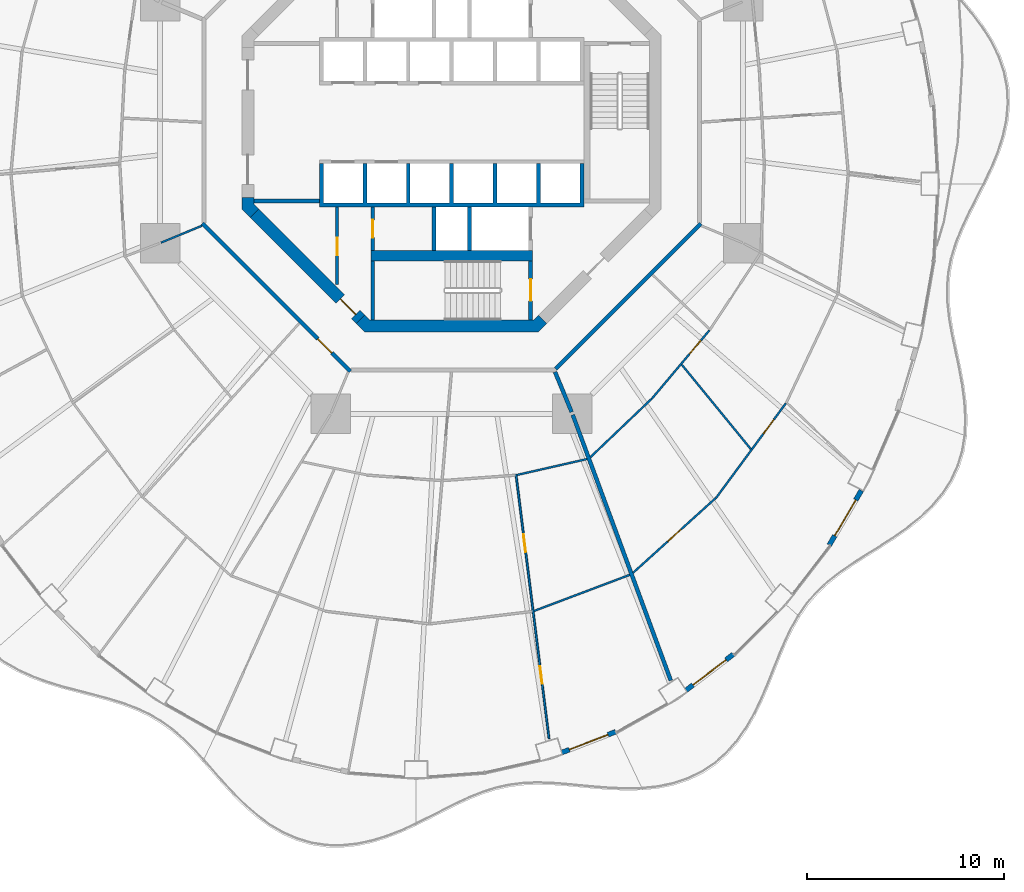
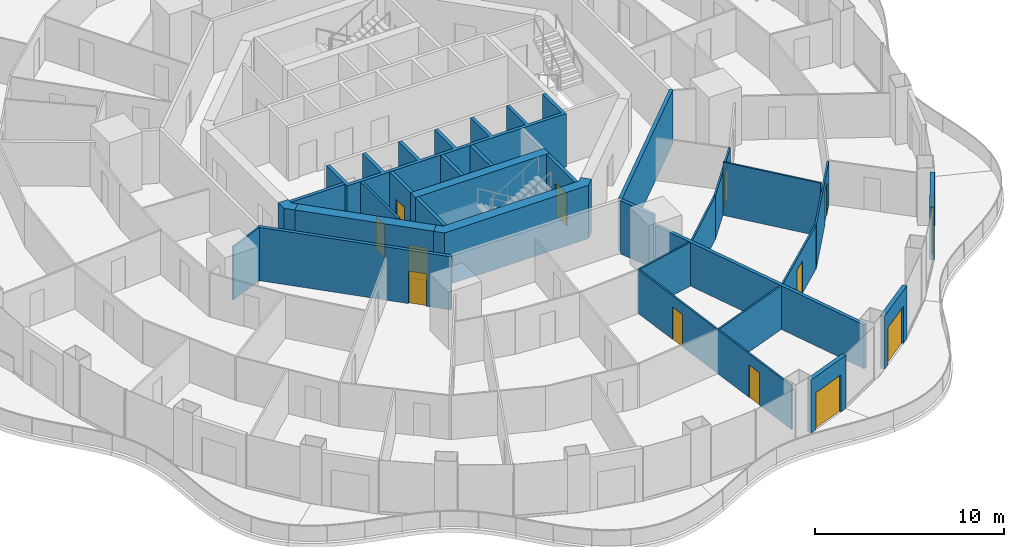
# One storey, part 13 of 20: 28 walls, 13 doors, 13 openings.
"""IFC4 building model written with IfcOpenShell, lengths in metres."""

import ifcopenshell
import ifcopenshell.guid

model = None  # the IFC model being written
_history = None  # IfcOwnerHistory: only IFC2X3 demands one
_inside = {}  # id of a spatial element -> (the spatial element, [elements in it])
_under = {}  # id of a project, library or spatial element -> (it, [spatial elements below it])
_declared = {}  # id of a project -> (the project, [libraries it declares])
_typed = {}  # id of a type object -> (the type object, [elements of that type])
_made_of = {}  # id of a material, layer set ... -> (it, [elements and type objects made of it])


def new_model(schema):
    """Start an empty IFC model of exactly this schema.

    Asked for "IFC4X3", IfcOpenShell would pick the latest addendum, in which some entities
    have other attributes; the version numbers below select the first issue.
    IFC2X3 requires an IfcOwnerHistory on every rooted entity: one is made here for all.
    """
    global model, _history
    if schema == "IFC4X3":
        model = ifcopenshell.file(schema_version=(4, 3, 0, 0))
    else:
        model = ifcopenshell.file(schema=schema)
    _inside.clear()
    _under.clear()
    _declared.clear()
    _typed.clear()
    _made_of.clear()
    _history = None
    if model.schema == "IFC2X3":
        org = make("IfcOrganization", Name="unknown")
        user = make(
            "IfcPersonAndOrganization",
            ThePerson=make("IfcPerson", FamilyName="unknown"),
            TheOrganization=org,
        )
        app = make(
            "IfcApplication",
            ApplicationDeveloper=org,
            Version="unknown",
            ApplicationFullName="unknown",
            ApplicationIdentifier="unknown",
        )
        _history = make(
            "IfcOwnerHistory",
            OwningUser=user,
            OwningApplication=app,
            ChangeAction="ADDED",
            CreationDate=0,
        )
    return model


def make(cls, **values):
    """One entity of the class cls with the attributes given. An attribute that is None is left unset."""
    return model.create_entity(
        cls, **{name: value for name, value in values.items() if value is not None}
    )


def rooted(cls, **values):
    """An entity with a GlobalId (a new one), such as an element, a storey or a relation."""
    return make(cls, GlobalId=ifcopenshell.guid.new(), OwnerHistory=_history, **values)


def si_unit(unit_type, name, prefix=None):
    """IfcSIUnit, for example si_unit("LENGTHUNIT", "METRE", prefix="MILLI")."""
    return make("IfcSIUnit", UnitType=unit_type, Prefix=prefix, Name=name)


def assignment(units):
    """IfcUnitAssignment: the units of a project."""
    return None if units is None else make("IfcUnitAssignment", Units=units)


def point(xyz):
    """IfcCartesianPoint."""
    return None if xyz is None else make("IfcCartesianPoint", Coordinates=xyz)


def direction(xyz):
    """IfcDirection."""
    return None if xyz is None else make("IfcDirection", DirectionRatios=xyz)


def frame(location, z_axis=None, x_axis=None):
    """IfcAxis2Placement3D, a coordinate frame: its origin and axes. An axis left out is left unset."""
    return make(
        "IfcAxis2Placement3D",
        Location=point(location),
        Axis=direction(z_axis),
        RefDirection=direction(x_axis),
    )


def frame_2d(location, x_axis=None):
    """IfcAxis2Placement2D, a coordinate frame in the plane: its origin and x axis."""
    return make(
        "IfcAxis2Placement2D", Location=point(location), RefDirection=direction(x_axis)
    )


def origin():
    """The frame at (0, 0, 0) with its axes left unset."""
    return frame((0.0, 0.0, 0.0))


def place(relative_to, where):
    """IfcLocalPlacement: puts the frame where relative to a parent placement (None: the world)."""
    return make(
        "IfcLocalPlacement", PlacementRelTo=relative_to, RelativePlacement=where
    )


def context(
    kind, dimensions, precision=None, world=None, true_north=None, identifier=None
):
    """IfcGeometricRepresentationContext, for example the 3D "Model" context."""
    return make(
        "IfcGeometricRepresentationContext",
        ContextIdentifier=identifier,
        ContextType=kind,
        CoordinateSpaceDimension=dimensions,
        Precision=precision,
        WorldCoordinateSystem=world,
        TrueNorth=true_north,
    )


def subcontext(parent, identifier, kind, view, scale=None):
    """IfcGeometricRepresentationSubContext, for example "Body" below "Model"."""
    return make(
        "IfcGeometricRepresentationSubContext",
        ContextIdentifier=identifier,
        ContextType=kind,
        ParentContext=parent,
        TargetScale=scale,
        TargetView=view,
    )


def project(units=None, contexts=None):
    """IfcProject with its units and contexts."""
    return rooted(
        "IfcProject",
        Name="project",
        RepresentationContexts=contexts,
        UnitsInContext=assignment(units),
    )


def spatial(cls, under=None, at=None, **own):
    """A site, building, storey or space (cls), placed at a placement, below another one or the project."""
    s = rooted(cls, ObjectPlacement=at, **own)
    if under is not None:
        _under.setdefault(under.id(), (under, []))[1].append(s)
    return s


def polyline(points):
    """IfcPolyline through the points."""
    return make("IfcPolyline", Points=[point(p) for p in points])


def profile(cls, at=None, kind="AREA", **sizes):
    """A parametric profile (cls). Its sizes go by their IFC names, for example OverallWidth=200.0."""
    return make(cls, ProfileType=kind, Position=at, **sizes)


def rectangle(**sizes):
    """IfcRectangleProfileDef."""
    return profile("IfcRectangleProfileDef", **sizes)


def outline(outer, holes=None, kind="AREA"):
    """IfcArbitraryClosedProfileDef: a profile drawn as a closed curve; with holes, ...WithVoids."""
    if holes is None:
        return make("IfcArbitraryClosedProfileDef", ProfileType=kind, OuterCurve=outer)
    return make(
        "IfcArbitraryProfileDefWithVoids",
        ProfileType=kind,
        OuterCurve=outer,
        InnerCurves=holes,
    )


def extrude(swept, where, along, depth):
    """IfcExtrudedAreaSolid: the profile swept, set in the frame where, extruded along a direction by depth."""
    return make(
        "IfcExtrudedAreaSolid",
        SweptArea=swept,
        Position=where,
        ExtrudedDirection=direction(along),
        Depth=depth,
    )


def shape(context_of_items, identifier, shape_type, items):
    """IfcShapeRepresentation: the items that make up one representation, for example the "Body"."""
    return make(
        "IfcShapeRepresentation",
        ContextOfItems=context_of_items,
        RepresentationIdentifier=identifier,
        RepresentationType=shape_type,
        Items=items,
    )


def material(Name=None, Category=None):
    """IfcMaterial."""
    return make("IfcMaterial", Name=Name, Category=Category)


def layer(
    of_material, thickness, ventilated=None, Name=None, Category=None, Priority=None
):
    """IfcMaterialLayer: one layer of a wall or slab, of a material (None: an air gap)."""
    return make(
        "IfcMaterialLayer",
        Material=of_material,
        LayerThickness=thickness,
        IsVentilated=ventilated,
        Name=Name,
        Category=Category,
        Priority=Priority,
    )


def layer_set(layers, Name=None):
    """IfcMaterialLayerSet."""
    return make("IfcMaterialLayerSet", MaterialLayers=layers, LayerSetName=Name)


def made_of(thing, what):
    """Note that an element or type object is made of a material, layer set ...; save() writes the relation."""
    if what is not None:
        _made_of.setdefault(what.id(), (what, []))[1].append(thing)
    return thing


def type_object(cls, material=None, **own):
    """A type object (cls), such as IfcWallType, which elements share."""
    return made_of(rooted(cls, **own), material)


def element(
    cls,
    number,
    at=None,
    inside=None,
    cuts=None,
    type_object=None,
    material=None,
    context=None,
    identifier="Body",
    shape_type=None,
    held_by="IfcProductDefinitionShape",
    body=None,
    shapes=None,
    **own,
):
    """One element of the class cls, such as IfcWall. Its Tag is "e" and its number.

    at: its placement. inside: the storey or other place that contains it. cuts: it is an
    opening in that element (IfcRelVoidsElement). A single representation is given by context,
    identifier, shape_type and body (its items); several are given by shapes. held_by: the class
    of the entity that holds the representations. save() writes the other relations.
    """
    e = rooted(cls, Tag="e%d" % number, ObjectPlacement=at, **own)
    if body is not None:
        shapes = [shape(context, identifier, shape_type, body)]
    if shapes is not None:
        e.Representation = make(held_by, Representations=shapes)
    if inside is not None:
        _inside.setdefault(inside.id(), (inside, []))[1].append(e)
    if cuts is not None:
        rooted(
            "IfcRelVoidsElement", RelatingBuildingElement=cuts, RelatedOpeningElement=e
        )
    if type_object is not None:
        _typed.setdefault(type_object.id(), (type_object, []))[1].append(e)
    return made_of(e, material)


def fill(opening, filler):
    """IfcRelFillsElement: the door or window that sits in an opening."""
    return rooted(
        "IfcRelFillsElement",
        RelatingOpeningElement=opening,
        RelatedBuildingElement=filler,
    )


def aggregate(whole, parts):
    """IfcRelAggregates: a whole, such as a stair, and the parts it consists of."""
    return rooted("IfcRelAggregates", RelatingObject=whole, RelatedObjects=parts)


def save(model, path):
    """Write the relations noted so far, then the file.

    IfcRelAggregates (storeys below a building ...), IfcRelContainedInSpatialStructure (elements
    in a storey), IfcRelDefinesByType, IfcRelAssociatesMaterial and IfcRelDeclares: one each for
    every whole, place, type object, material and project.
    """
    for whole, parts in _under.values():
        aggregate(whole, parts)
    for where, things in _inside.values():
        rooted(
            "IfcRelContainedInSpatialStructure",
            RelatedElements=things,
            RelatingStructure=where,
        )
    for kind, things in _typed.values():
        rooted("IfcRelDefinesByType", RelatedObjects=things, RelatingType=kind)
    for what, things in _made_of.values():
        rooted("IfcRelAssociatesMaterial", RelatedObjects=things, RelatingMaterial=what)
    for by, libraries in _declared.values():
        rooted("IfcRelDeclares", RelatingContext=by, RelatedDefinitions=libraries)
    model.write(path)


model = new_model("IFC4")

# Units and contexts
model_context = context("Model", 3, precision=1e-05, world=origin(), true_north=direction((0.0, 1.0)))
body_context = subcontext(model_context, "Body", "Model", "MODEL_VIEW")
ifc_project = project(units=[si_unit("LENGTHUNIT", "METRE"), si_unit("AREAUNIT", "SQUARE_METRE"), si_unit("VOLUMEUNIT", "CUBIC_METRE"), si_unit("PLANEANGLEUNIT", "RADIAN"), si_unit("MASSUNIT", "GRAM", prefix="KILO")], contexts=[model_context])

# Site, building, storey
site_placement = place(None, origin())
site = spatial("IfcSite", under=ifc_project, at=site_placement, CompositionType="ELEMENT")
building_placement = place(site_placement, origin())
building = spatial("IfcBuilding", under=site, at=building_placement, Name="Nagisa Residences", CompositionType="ELEMENT")
storey_placement = place(building_placement, frame((0.0, 0.0, 119.60009765625)))
storey = spatial("IfcBuildingStorey", under=building, at=storey_placement, Name="L29", CompositionType="ELEMENT", Elevation=119.60009765625)

# Walls
ifc_material_1 = material(Name="Gypsum board on steel studs", Category="steel")
ifc_layer_1 = layer(ifc_material_1, 0.199951171875)
ifc_layer_set_1 = layer_set([ifc_layer_1], Name="Apartment compartment wall EI60 200")
wall_type_1 = type_object("IfcWallType", Name="Apartment compartment wall EI60 200", PredefinedType="PARTITIONING", material=ifc_layer_set_1)
wall_1_placement = place(storey_placement, frame((5.24267578125, -12.6572265625, 0.0), z_axis=(0.0, 0.0, 1.0), x_axis=(0.38273085373, -0.923859888513, 0.0)))
element("IfcWall", 1, at=wall_1_placement, inside=storey, type_object=wall_type_1, Name="wall:L29:u04", PredefinedType="PARTITIONING", context=body_context, shape_type="SweptSolid", body=[
    extrude(rectangle(XDim=2.199462890625, YDim=0.199951171875, at=frame_2d((1.099609375, 0.0))), origin(), (0.0, 0.0, 1.0), 3.43994140625),
])
wall_2_placement = place(storey_placement, frame((6.14013671875, -14.8291015625, 0.0), z_axis=(0.0, 0.0, 1.0), x_axis=(0.346169582481, -0.938171956608, 0.0)))
element("IfcWall", 2, at=wall_2_placement, inside=storey, type_object=wall_type_1, Name="wall:L29:u05", PredefinedType="PARTITIONING", context=body_context, shape_type="SweptSolid", body=[
    extrude(rectangle(XDim=14.353515625, YDim=0.199951171875, at=frame_2d((7.1767578125, 0.0))), origin(), (0.0, 0.0, 1.0), 2.827880859375),
])

# Wall, opening, door
ifc_material_2 = material(Name="Gypsum board on steel studs", Category="steel")
ifc_layer_2 = layer(ifc_material_2, 0.199951171875)
ifc_layer_set_2 = layer_set([ifc_layer_2], Name="Apartment entry wall EI60 200")
wall_type_2 = type_object("IfcWallType", Name="Apartment entry wall EI60 200", PredefinedType="PARTITIONING", material=ifc_layer_set_2)
wall_3_placement = place(storey_placement, frame((-12.635498046875, -5.1337890625, 0.0), z_axis=(0.0, 0.0, 1.0), x_axis=(0.707106781187, -0.707106781187, 0.0)))
wall_3 = element("IfcWall", 3, at=wall_3_placement, inside=storey, type_object=wall_type_2, Name="wall:L29:u11", PredefinedType="PARTITIONING", context=body_context, shape_type="SweptSolid", body=[
    extrude(rectangle(XDim=10.609130859375, YDim=0.199951171875, at=frame_2d((5.3046875, 0.0))), origin(), (0.0, 0.0, 1.0), 3.43994140625),
])
opening_1_placement = place(wall_3_placement, frame((8.274169921875, 0.0, 0.0)))
opening_1 = element("IfcOpeningElement", 4, at=opening_1_placement, cuts=wall_3, Name="Opening L29-U14", PredefinedType="OPENING", context=body_context, shape_type="SweptSolid", body=[
    extrude(rectangle(XDim=1.0, YDim=2.10009765625, at=frame_2d((0.5, 1.050048828125))), frame((0.0, 0.10986328125, 0.0), z_axis=(0.0, -1.0, 0.0), x_axis=(1.0, 0.0, 0.0)), (0.0, 0.0, 1.0), 0.219970703125),
])
ifc_material_3 = material(Name="Timber fire door set", Category="wood")
door_type_1 = type_object("IfcDoorType", Name="Apartment entry door FD30S 1000x2100", OperationType="NOTDEFINED", PredefinedType="DOOR", material=ifc_material_3)
door_1_placement = place(opening_1_placement, frame((1.0, 0.0, 0.0), x_axis=(-1.0, 0.0, 0.0)))
door_1 = element("IfcDoor", 5, at=door_1_placement, inside=storey, type_object=door_type_1, Name="Entry door, Apartment 29B", OperationType="SINGLE_SWING_LEFT", OverallHeight=2.10009765625, OverallWidth=1.0, PredefinedType="DOOR", context=body_context, shape_type="SweptSolid", body=[
    extrude(rectangle(XDim=1.0, YDim=2.10009765625, at=frame_2d((0.5, 1.050048828125))), frame((0.0, 0.02490234375, 0.0), z_axis=(0.0, -1.0, 0.0), x_axis=(1.0, 0.0, 0.0)), (0.0, 0.0, 1.0), 0.050048828125),
])
fill(opening_1, door_1)

# Walls
wall_4_placement = place(storey_placement, frame((5.275146484375, -12.494140625, 0.0), z_axis=(0.0, 0.0, 1.0), x_axis=(0.707106781187, 0.707106781187, 0.0)))
element("IfcWall", 6, at=wall_4_placement, inside=storey, type_object=wall_type_2, Name="wall:L29:u13", PredefinedType="PARTITIONING", context=body_context, shape_type="SweptSolid", body=[
    extrude(rectangle(XDim=10.4091796875, YDim=0.199951171875, at=frame_2d((5.20458984375, 0.0))), origin(), (0.0, 0.0, 1.0), 3.43994140625),
])
ifc_material_4 = material(Name="Gypsum board on steel studs", Category="steel")
ifc_layer_3 = layer(ifc_material_4, 0.10009765625)
ifc_layer_set_3 = layer_set([ifc_layer_3], Name="Apartment partition 100")
wall_type_3 = type_object("IfcWallType", Name="Apartment partition 100", PredefinedType="PARTITIONING", material=ifc_layer_set_3)
wall_5_placement = place(storey_placement, frame((-12.6572265625, -5.24267578125, 0.0), z_axis=(0.0, 0.0, 1.0), x_axis=(-0.923864733477, -0.382719158442, 0.0)))
element("IfcWall", 7, at=wall_5_placement, inside=storey, type_object=wall_type_3, Name="wall:L29:u60", PredefinedType="PARTITIONING", context=body_context, shape_type="SweptSolid", body=[
    extrude(rectangle(XDim=2.25, YDim=0.10009765625, at=frame_2d((1.125, 0.0))), origin(), (0.0, 0.0, 1.0), 3.43994140625),
])

# Wall, openings, doors
wall_6_placement = place(storey_placement, frame((3.26171875, -17.83935546875, 0.0), z_axis=(0.0, 0.0, 1.0), x_axis=(0.124074750982, -0.992272873845, 0.0)))
wall_6 = element("IfcWall", 8, at=wall_6_placement, inside=storey, type_object=wall_type_3, Name="wall:L29:u83", PredefinedType="PARTITIONING", context=body_context, shape_type="SweptSolid", body=[
    extrude(rectangle(XDim=13.51611328125, YDim=0.10009765625, at=frame_2d((6.758056640625, 0.0))), origin(), (0.0, 0.0, 1.0), 2.827880859375),
])
opening_2_placement = place(wall_6_placement, frame((3.07763671875, 0.0, 0.0)))
opening_2 = element("IfcOpeningElement", 9, at=opening_2_placement, cuts=wall_6, Name="Opening L29-U23", PredefinedType="OPENING", context=body_context, shape_type="SweptSolid", body=[
    extrude(rectangle(XDim=0.89990234375, YDim=2.10009765625, at=frame_2d((0.449951171875, 1.050048828125))), frame((0.0, 0.06005859375, 0.0), z_axis=(0.0, -1.0, 0.0), x_axis=(1.0, 0.0, 0.0)), (0.0, 0.0, 1.0), 0.1201171875),
])
opening_3_placement = place(wall_6_placement, frame((9.810791015625, 0.0, 0.0)))
opening_3 = element("IfcOpeningElement", 10, at=opening_3_placement, cuts=wall_6, Name="Opening L29-U30", PredefinedType="OPENING", context=body_context, shape_type="SweptSolid", body=[
    extrude(rectangle(XDim=0.89990234375, YDim=2.10009765625, at=frame_2d((0.449951171875, 1.050048828125))), frame((0.0, 0.06005859375, 0.0), z_axis=(0.0, -1.0, 0.0), x_axis=(1.0, 0.0, 0.0)), (0.0, 0.0, 1.0), 0.1201171875),
])
ifc_material_5 = material(Name="Timber door set", Category="wood")
door_type_2 = type_object("IfcDoorType", Name="Apartment door 900x2100", OperationType="NOTDEFINED", PredefinedType="DOOR", material=ifc_material_5)
door_2_placement = place(opening_2_placement, origin())
door_2 = element("IfcDoor", 11, at=door_2_placement, inside=storey, type_object=door_type_2, Name="Door to dining room, Apartment 29B", OperationType="SINGLE_SWING_LEFT", OverallHeight=2.10009765625, OverallWidth=0.89990234375, PredefinedType="DOOR", context=body_context, shape_type="SweptSolid", body=[
    extrude(rectangle(XDim=0.89990234375, YDim=2.10009765625, at=frame_2d((0.449951171875, 1.050048828125))), frame((0.0, 0.02490234375, 0.0), z_axis=(0.0, -1.0, 0.0), x_axis=(1.0, 0.0, 0.0)), (0.0, 0.0, 1.0), 0.050048828125),
])
fill(opening_2, door_2)
door_3_placement = place(opening_3_placement, origin())
door_3 = element("IfcDoor", 12, at=door_3_placement, inside=storey, type_object=door_type_2, Name="Door to master bedroom, Apartment 29B", OperationType="SINGLE_SWING_RIGHT", OverallHeight=2.10009765625, OverallWidth=0.89990234375, PredefinedType="DOOR", context=body_context, shape_type="SweptSolid", body=[
    extrude(rectangle(XDim=0.89990234375, YDim=2.10009765625, at=frame_2d((0.449951171875, 1.050048828125))), frame((0.0, 0.02490234375, 0.0), z_axis=(0.0, -1.0, 0.0), x_axis=(1.0, 0.0, 0.0)), (0.0, 0.0, 1.0), 0.050048828125),
])
fill(opening_3, door_3)

# Walls
wall_7_placement = place(storey_placement, frame((3.316650390625, -17.8779296875, 0.0), z_axis=(0.0, 0.0, 1.0), x_axis=(0.975095905288, 0.221783623135, 0.0)))
element("IfcWall", 13, at=wall_7_placement, inside=storey, type_object=wall_type_3, Name="wall:L29:u84", PredefinedType="PARTITIONING", context=body_context, shape_type="SweptSolid", body=[
    extrude(rectangle(XDim=3.635986328125, YDim=0.10009765625, at=frame_2d((1.81787109375, 0.0))), origin(), (0.0, 0.0, 1.0), 2.827880859375),
])
wall_8_placement = place(storey_placement, frame((4.177734375, -24.77294921875, 0.0), z_axis=(0.0, 0.0, 1.0), x_axis=(0.935583811437, 0.353104703702, 0.0)))
element("IfcWall", 14, at=wall_8_placement, inside=storey, type_object=wall_type_3, Name="wall:L29:u85", PredefinedType="PARTITIONING", context=body_context, shape_type="SweptSolid", body=[
    extrude(rectangle(XDim=5.18359375, YDim=0.10009765625, at=frame_2d((2.591796875, 0.0))), origin(), (0.0, 0.0, 1.0), 2.827880859375),
])
wall_9_placement = place(storey_placement, frame((7.031982421875, -16.98046875, 0.0), z_axis=(0.0, 0.0, 1.0), x_axis=(0.723709759148, 0.690104473622, 0.0)))
element("IfcWall", 15, at=wall_9_placement, inside=storey, type_object=wall_type_3, Name="wall:L29:u86", PredefinedType="PARTITIONING", context=body_context, shape_type="SweptSolid", body=[
    extrude(rectangle(XDim=4.286376953125, YDim=0.10009765625, at=frame_2d((2.14306640625, 0.0))), origin(), (0.0, 0.0, 1.0), 2.827880859375),
])

# Wall, opening, door
wall_10_placement = place(storey_placement, frame((9.195068359375, -22.84033203125, 0.0), z_axis=(0.0, 0.0, 1.0), x_axis=(0.741675855479, 0.670758470241, 0.0)))
wall_10 = element("IfcWall", 16, at=wall_10_placement, inside=storey, type_object=wall_type_3, Name="wall:L29:u87", PredefinedType="PARTITIONING", context=body_context, shape_type="SweptSolid", body=[
    extrude(rectangle(XDim=5.65625, YDim=0.10009765625, at=frame_2d((2.828125, 0.0))), origin(), (0.0, 0.0, 1.0), 2.827880859375),
])
opening_4_placement = place(wall_10_placement, frame((2.3779296875, 0.0, 0.0)))
opening_4 = element("IfcOpeningElement", 17, at=opening_4_placement, cuts=wall_10, Name="Opening L29-U52", PredefinedType="OPENING", context=body_context, shape_type="SweptSolid", body=[
    extrude(rectangle(XDim=0.89990234375, YDim=2.10009765625, at=frame_2d((0.449951171875, 1.050048828125))), frame((0.0, 0.06005859375, 0.0), z_axis=(0.0, -1.0, 0.0), x_axis=(1.0, 0.0, 0.0)), (0.0, 0.0, 1.0), 0.1201171875),
])
door_4_placement = place(opening_4_placement, origin())
door_4 = element("IfcDoor", 18, at=door_4_placement, inside=storey, type_object=door_type_2, Name="Door to dining room, Apartment 29C", OperationType="SINGLE_SWING_RIGHT", OverallHeight=2.10009765625, OverallWidth=0.89990234375, PredefinedType="DOOR", context=body_context, shape_type="SweptSolid", body=[
    extrude(rectangle(XDim=0.89990234375, YDim=2.10009765625, at=frame_2d((0.449951171875, 1.050048828125))), frame((0.0, 0.02490234375, 0.0), z_axis=(0.0, -1.0, 0.0), x_axis=(1.0, 0.0, 0.0)), (0.0, 0.0, 1.0), 0.050048828125),
])
fill(opening_4, door_4)

wall_11_placement = place(storey_placement, frame((10.13818359375, -14.026123046875, 0.0), z_axis=(0.0, 0.0, 1.0), x_axis=(0.644051444483, 0.764982180746, 0.0)))
wall_11 = element("IfcWall", 19, at=wall_11_placement, inside=storey, type_object=wall_type_3, Name="wall:L29:u88", PredefinedType="PARTITIONING", context=body_context, shape_type="SweptSolid", body=[
    extrude(rectangle(XDim=4.54833984375, YDim=0.10009765625, at=frame_2d((2.274169921875, 0.0))), origin(), (0.0, 0.0, 1.0), 2.827880859375),
])
opening_5_placement = place(wall_11_placement, frame((2.986328125, 0.0, 0.0)))
opening_5 = element("IfcOpeningElement", 20, at=opening_5_placement, cuts=wall_11, Name="Opening L29-U50", PredefinedType="OPENING", context=body_context, shape_type="SweptSolid", body=[
    extrude(rectangle(XDim=0.89990234375, YDim=2.10009765625, at=frame_2d((0.449951171875, 1.050048828125))), frame((0.0, 0.06005859375, 0.0), z_axis=(0.0, -1.0, 0.0), x_axis=(1.0, 0.0, 0.0)), (0.0, 0.0, 1.0), 0.1201171875),
])
door_5_placement = place(opening_5_placement, origin())
door_5 = element("IfcDoor", 21, at=door_5_placement, inside=storey, type_object=door_type_2, Name="Door to store, Apartment 29C", OperationType="SINGLE_SWING_RIGHT", OverallHeight=2.10009765625, OverallWidth=0.89990234375, PredefinedType="DOOR", context=body_context, shape_type="SweptSolid", body=[
    extrude(rectangle(XDim=0.89990234375, YDim=2.10009765625, at=frame_2d((0.449951171875, 1.050048828125))), frame((0.0, 0.02490234375, 0.0), z_axis=(0.0, -1.0, 0.0), x_axis=(1.0, 0.0, 0.0)), (0.0, 0.0, 1.0), 0.050048828125),
])
fill(opening_5, door_5)

wall_12_placement = place(storey_placement, frame((13.3974609375, -19.05322265625, 0.0), z_axis=(0.0, 0.0, 1.0), x_axis=(0.593522299069, 0.804817544856, 0.0)))
wall_12 = element("IfcWall", 22, at=wall_12_placement, inside=storey, type_object=wall_type_3, Name="wall:L29:u89", PredefinedType="PARTITIONING", context=body_context, shape_type="SweptSolid", body=[
    extrude(rectangle(XDim=5.97607421875, YDim=0.10009765625, at=frame_2d((2.988037109375, 0.0))), origin(), (0.0, 0.0, 1.0), 2.827880859375),
])
opening_6_placement = place(wall_12_placement, frame((4.056884765625, 0.0, 0.0)))
opening_6 = element("IfcOpeningElement", 23, at=opening_6_placement, cuts=wall_12, Name="Opening L29-U48", PredefinedType="OPENING", context=body_context, shape_type="SweptSolid", body=[
    extrude(rectangle(XDim=0.89990234375, YDim=2.10009765625, at=frame_2d((0.449951171875, 1.050048828125))), frame((0.0, 0.06005859375, 0.0), z_axis=(0.0, -1.0, 0.0), x_axis=(1.0, 0.0, 0.0)), (0.0, 0.0, 1.0), 0.1201171875),
])
door_6_placement = place(opening_6_placement, frame((0.89990234375, 0.0, 0.0), x_axis=(-1.0, 0.0, 0.0)))
door_6 = element("IfcDoor", 24, at=door_6_placement, inside=storey, type_object=door_type_2, Name="Door to living room, Apartment 29C", OperationType="SINGLE_SWING_LEFT", OverallHeight=2.10009765625, OverallWidth=0.89990234375, PredefinedType="DOOR", context=body_context, shape_type="SweptSolid", body=[
    extrude(rectangle(XDim=0.89990234375, YDim=2.10009765625, at=frame_2d((0.449951171875, 1.050048828125))), frame((0.0, 0.02490234375, 0.0), z_axis=(0.0, -1.0, 0.0), x_axis=(1.0, 0.0, 0.0)), (0.0, 0.0, 1.0), 0.050048828125),
])
fill(opening_6, door_6)

# Wall
wall_13_placement = place(storey_placement, frame((11.666748046875, -12.286865234375, 0.0), z_axis=(0.0, 0.0, 1.0), x_axis=(0.633038312428, -0.774120465431, 0.0)))
element("IfcWall", 25, at=wall_13_placement, inside=storey, type_object=wall_type_3, Name="wall:L29:u90", PredefinedType="PARTITIONING", context=body_context, shape_type="SweptSolid", body=[
    extrude(rectangle(XDim=5.532470703125, YDim=0.10009765625, at=frame_2d((2.76611328125, 0.0))), origin(), (0.0, 0.0, 1.0), 3.43994140625),
])

# Wall, opening, door
ifc_material_6 = material(Name="Precast concrete C40/50", Category="concrete")
ifc_layer_4 = layer(ifc_material_6, 0.25)
ifc_layer_set_4 = layer_set([ifc_layer_4], Name="BALCONY DOOR WALL 250")
wall_type_4 = type_object("IfcWallType", Name="BALCONY DOOR WALL 250", PredefinedType="SOLIDWALL", material=ifc_layer_set_4)
wall_14_placement = place(storey_placement, frame((8.3095703125, -30.897705078125, 0.0), z_axis=(0.0, 0.0, 1.0), x_axis=(-0.932845344347, -0.360277064952, 0.0)))
wall_14 = element("IfcWall", 26, at=wall_14_placement, inside=storey, type_object=wall_type_4, Name="wall:L29:bay38", PredefinedType="SOLIDWALL", context=body_context, shape_type="SweptSolid", body=[
    extrude(rectangle(XDim=2.92333984375, YDim=0.25, at=frame_2d((1.461669921875, 0.0))), origin(), (0.0, 0.0, 1.0), 3.43994140625),
])
opening_7_placement = place(wall_14_placement, frame((0.41162109375, 0.0, 0.0)))
opening_7 = element("IfcOpeningElement", 27, at=opening_7_placement, cuts=wall_14, Name="Opening BD-L29-13", PredefinedType="OPENING", context=body_context, shape_type="SweptSolid", body=[
    extrude(rectangle(XDim=2.10009765625, YDim=2.39990234375, at=frame_2d((1.050048828125, 1.199951171875))), frame((0.0, 0.135009765625, 0.0), z_axis=(0.0, -1.0, 0.0), x_axis=(1.0, 0.0, 0.0)), (0.0, 0.0, 1.0), 0.27001953125),
])
ifc_material_7 = material(Name="Aluminium and clear glass", Category="aluminium")
door_type_3 = type_object("IfcDoorType", Name="BALCONY SLIDING DOOR 2100x2400", OperationType="SLIDING_TO_LEFT", PredefinedType="DOOR", material=ifc_material_7)
door_7_placement = place(opening_7_placement, origin())
door_7 = element("IfcDoor", 28, at=door_7_placement, inside=storey, type_object=door_type_3, Name="door:L29:bay38", OperationType="SLIDING_TO_LEFT", OverallHeight=2.39990234375, OverallWidth=2.10009765625, PredefinedType="DOOR", context=body_context, shape_type="SweptSolid", body=[
    extrude(rectangle(XDim=2.10009765625, YDim=2.39990234375, at=frame_2d((1.050048828125, 1.199951171875))), frame((0.0, 0.02490234375, 0.0), z_axis=(0.0, -1.0, 0.0), x_axis=(1.0, 0.0, 0.0)), (0.0, 0.0, 1.0), 0.050048828125),
])
fill(opening_7, door_7)

wall_15_placement = place(storey_placement, frame((14.27783203125, -26.973388671875, 0.0), z_axis=(0.0, 0.0, 1.0), x_axis=(-0.796022231079, -0.605267385233, 0.0)))
wall_15 = element("IfcWall", 29, at=wall_15_placement, inside=storey, type_object=wall_type_4, Name="wall:L29:bay40", PredefinedType="SOLIDWALL", context=body_context, shape_type="SweptSolid", body=[
    extrude(rectangle(XDim=3.025634765625, YDim=0.25, at=frame_2d((1.5126953125, 0.0))), origin(), (0.0, 0.0, 1.0), 3.43994140625),
])
opening_8_placement = place(wall_15_placement, frame((0.462646484375, 0.0, 0.0)))
opening_8 = element("IfcOpeningElement", 30, at=opening_8_placement, cuts=wall_15, Name="Opening BD-L29-14", PredefinedType="OPENING", context=body_context, shape_type="SweptSolid", body=[
    extrude(rectangle(XDim=2.10009765625, YDim=2.39990234375, at=frame_2d((1.050048828125, 1.199951171875))), frame((0.0, 0.135009765625, 0.0), z_axis=(0.0, -1.0, 0.0), x_axis=(1.0, 0.0, 0.0)), (0.0, 0.0, 1.0), 0.27001953125),
])
door_8_placement = place(opening_8_placement, origin())
door_8 = element("IfcDoor", 31, at=door_8_placement, inside=storey, type_object=door_type_3, Name="door:L29:bay40", OperationType="SLIDING_TO_LEFT", OverallHeight=2.39990234375, OverallWidth=2.10009765625, PredefinedType="DOOR", context=body_context, shape_type="SweptSolid", body=[
    extrude(rectangle(XDim=2.10009765625, YDim=2.39990234375, at=frame_2d((1.050048828125, 1.199951171875))), frame((0.0, 0.02490234375, 0.0), z_axis=(0.0, -1.0, 0.0), x_axis=(1.0, 0.0, 0.0)), (0.0, 0.0, 1.0), 0.050048828125),
])
fill(opening_8, door_8)

wall_16_placement = place(storey_placement, frame((20.768310546875, -18.669189453125, 0.0), z_axis=(0.0, 0.0, 1.0), x_axis=(-0.506314982873, -0.862348617508, 0.0)))
wall_16 = element("IfcWall", 32, at=wall_16_placement, inside=storey, type_object=wall_type_4, Name="wall:L29:bay43", PredefinedType="SOLIDWALL", context=body_context, shape_type="SweptSolid", body=[
    extrude(rectangle(XDim=3.20849609375, YDim=0.25, at=frame_2d((1.604248046875, 0.0))), origin(), (0.0, 0.0, 1.0), 3.43994140625),
])
opening_9_placement = place(wall_16_placement, frame((0.55419921875, 0.0, 0.0)))
opening_9 = element("IfcOpeningElement", 33, at=opening_9_placement, cuts=wall_16, Name="Opening BD-L29-15", PredefinedType="OPENING", context=body_context, shape_type="SweptSolid", body=[
    extrude(rectangle(XDim=2.10009765625, YDim=2.39990234375, at=frame_2d((1.050048828125, 1.199951171875))), frame((0.0, 0.135009765625, 0.0), z_axis=(0.0, -1.0, 0.0), x_axis=(1.0, 0.0, 0.0)), (0.0, 0.0, 1.0), 0.27001953125),
])
door_9_placement = place(opening_9_placement, origin())
door_9 = element("IfcDoor", 34, at=door_9_placement, inside=storey, type_object=door_type_3, Name="door:L29:bay43", OperationType="SLIDING_TO_LEFT", OverallHeight=2.39990234375, OverallWidth=2.10009765625, PredefinedType="DOOR", context=body_context, shape_type="SweptSolid", body=[
    extrude(rectangle(XDim=2.10009765625, YDim=2.39990234375, at=frame_2d((1.050048828125, 1.199951171875))), frame((0.0, 0.02490234375, 0.0), z_axis=(0.0, -1.0, 0.0), x_axis=(1.0, 0.0, 0.0)), (0.0, 0.0, 1.0), 0.050048828125),
])
fill(opening_9, door_9)

ifc_material_8 = material(Name="Gypsum board on steel studs", Category="steel")
ifc_layer_5 = layer(ifc_material_8, 0.14990234375)
ifc_layer_set_5 = layer_set([ifc_layer_5], Name="Core partition 150")
wall_type_5 = type_object("IfcWallType", Name="Core partition 150", PredefinedType="PARTITIONING", material=ifc_layer_set_5)
wall_17_placement = place(storey_placement, frame((-5.800048828125, -8.22705078125, 0.0), z_axis=(0.0, 0.0, 1.0), x_axis=(0.0, 1.0, 0.0)))
wall_17 = element("IfcWall", 35, at=wall_17_placement, inside=storey, type_object=wall_type_5, Name="wall:L29:SWp", PredefinedType="PARTITIONING", context=body_context, shape_type="SweptSolid", body=[
    extrude(rectangle(XDim=3.927001953125, YDim=0.14990234375, at=frame_2d((1.96337890625, 0.0))), origin(), (0.0, 0.0, 1.0), 3.43994140625),
])
opening_10_placement = place(wall_17_placement, frame((1.47607421875, 0.0, 0.0)))
opening_10 = element("IfcOpeningElement", 36, at=opening_10_placement, cuts=wall_17, Name="Opening L29-C13", PredefinedType="OPENING", context=body_context, shape_type="SweptSolid", body=[
    extrude(rectangle(XDim=0.89990234375, YDim=2.10009765625, at=frame_2d((0.449951171875, 1.050048828125))), frame((0.0, 0.0849609375, 0.0), z_axis=(0.0, -1.0, 0.0), x_axis=(1.0, 0.0, 0.0)), (0.0, 0.0, 1.0), 0.169921875),
])
ifc_material_9 = material(Name="Steel fire door", Category="steel")
door_type_4 = type_object("IfcDoorType", Name="Fire door EI30 900x2100 single swing", OperationType="NOTDEFINED", PredefinedType="DOOR", material=ifc_material_9)
door_10_placement = place(opening_10_placement, origin())
door_10 = element("IfcDoor", 37, at=door_10_placement, inside=storey, type_object=door_type_4, Name="Telecom room door L29", OperationType="SINGLE_SWING_LEFT", OverallHeight=2.10009765625, OverallWidth=0.89990234375, PredefinedType="DOOR", context=body_context, shape_type="SweptSolid", body=[
    extrude(rectangle(XDim=0.89990234375, YDim=2.10009765625, at=frame_2d((0.449951171875, 1.050048828125))), frame((0.0, 0.02490234375, 0.0), z_axis=(0.0, -1.0, 0.0), x_axis=(1.0, 0.0, 0.0)), (0.0, 0.0, 1.0), 0.050048828125),
])
fill(opening_10, door_10)

# Wall
ifc_material_10 = material(Name="Gypsum board on steel studs", Category="steel")
ifc_layer_6 = layer(ifc_material_10, 0.199951171875)
ifc_layer_set_6 = layer_set([ifc_layer_6], Name="Core partition 200")
wall_type_6 = type_object("IfcWallType", Name="Core partition 200", PredefinedType="PARTITIONING", material=ifc_layer_set_6)
wall_18_placement = place(storey_placement, frame((-10.024658203125, -4.0, 0.0), z_axis=(0.0, 0.0, 1.0), x_axis=(1.0, 0.0, 0.0)))
element("IfcWall", 38, at=wall_18_placement, inside=storey, type_object=wall_type_6, Name="wall:L29:PSW", PredefinedType="PARTITIONING", context=body_context, shape_type="SweptSolid", body=[
    extrude(rectangle(XDim=3.32470703125, YDim=0.199951171875, at=frame_2d((1.662353515625, 0.0))), origin(), (0.0, 0.0, 1.0), 3.43994140625),
])

# Wall, opening, door
ifc_material_11 = material(Name="Concrete C60", Category="concrete")
ifc_layer_7 = layer(ifc_material_11, 0.60009765625)
ifc_layer_set_7 = layer_set([ifc_layer_7], Name="Core shear wall 600")
wall_type_7 = type_object("IfcWallType", Name="Core shear wall 600", PredefinedType="SHEAR", material=ifc_layer_set_7)
wall_19_placement = place(storey_placement, frame((-9.98828125, -4.613037109375, 0.0), z_axis=(0.0, 0.0, 1.0), x_axis=(0.707106781187, -0.707106781187, 0.0)))
wall_19 = element("IfcWall", 39, at=wall_19_placement, inside=storey, type_object=wall_type_7, Name="wall:L29:core:flat5", PredefinedType="SHEAR", context=body_context, shape_type="SweptSolid", body=[
    extrude(rectangle(XDim=7.601806640625, YDim=0.60009765625, at=frame_2d((3.80078125, 0.0))), origin(), (0.0, 0.0, 1.0), 3.43994140625),
])
opening_11_placement = place(wall_19_placement, frame((6.15087890625, 0.0, 0.0)))
opening_11 = element("IfcOpeningElement", 40, at=opening_11_placement, cuts=wall_19, Name="Opening L29-C20", PredefinedType="OPENING", context=body_context, shape_type="SweptSolid", body=[
    extrude(rectangle(XDim=1.10009765625, YDim=2.10009765625, at=frame_2d((0.550048828125, 1.050048828125))), frame((0.0, 0.31005859375, 0.0), z_axis=(0.0, -1.0, 0.0), x_axis=(1.0, 0.0, 0.0)), (0.0, 0.0, 1.0), 0.6201171875),
])
ifc_material_12 = material(Name="Steel fire door", Category="steel")
door_type_5 = type_object("IfcDoorType", Name="Fire door EI60 1100x2100 single swing", OperationType="NOTDEFINED", PredefinedType="DOOR", material=ifc_material_12)
door_11_placement = place(opening_11_placement, origin())
door_11 = element("IfcDoor", 41, at=door_11_placement, inside=storey, type_object=door_type_5, Name="Housekeeping lobby door L29", OperationType="SINGLE_SWING_RIGHT", OverallHeight=2.10009765625, OverallWidth=1.10009765625, PredefinedType="DOOR", context=body_context, shape_type="SweptSolid", body=[
    extrude(rectangle(XDim=1.10009765625, YDim=2.10009765625, at=frame_2d((0.550048828125, 1.050048828125))), frame((0.0, 0.02490234375, 0.0), z_axis=(0.0, -1.0, 0.0), x_axis=(1.0, 0.0, 0.0)), (0.0, 0.0, 1.0), 0.050048828125),
])
fill(opening_11, door_11)

# Walls
wall_20_placement = place(storey_placement, origin())
element("IfcWall", 42, at=wall_20_placement, inside=storey, type_object=wall_type_7, Name="wall:L29:core:pier4", PredefinedType="SHEAR", context=body_context, shape_type="SweptSolid", body=[
    extrude(outline(polyline([(-10.62451171875, -3.80078125), (-10.024658203125, -3.80078125), (-10.024658203125, -4.15234375), (-9.776123046875, -4.40087890625), (-10.200439453125, -4.8251953125), (-10.62451171875, -4.40087890625), (-10.62451171875, -3.80078125)])), origin(), (0.0, 0.0, 1.0), 3.43994140625),
])
wall_21_placement = place(storey_placement, origin())
element("IfcWall", 43, at=wall_21_placement, inside=storey, type_object=wall_type_7, Name="wall:L29:core:flat6", PredefinedType="SHEAR", context=body_context, shape_type="SweptSolid", body=[
    extrude(outline(polyline([(-4.15234375, -10.024658203125), (4.15234375, -10.024658203125), (4.40087890625, -9.776123046875), (4.8251953125, -10.200439453125), (4.40087890625, -10.62451171875), (-4.40087890625, -10.62451171875), (-4.8251953125, -10.200439453125), (-4.40087890625, -9.776123046875), (-4.15234375, -10.024658203125)])), origin(), (0.0, 0.0, 1.0), 3.43994140625),
])

# Wall, opening, door
ifc_material_13 = material(Name="Concrete C60", Category="concrete")
ifc_layer_8 = layer(ifc_material_13, 0.199951171875)
ifc_layer_set_8 = layer_set([ifc_layer_8], Name="Lift shaft wall 200")
wall_type_8 = type_object("IfcWallType", Name="Lift shaft wall 200", PredefinedType="SOLIDWALL", material=ifc_layer_set_8)
wall_22_placement = place(storey_placement, frame((-4.0, -6.5, 0.0), z_axis=(0.0, 0.0, 1.0), x_axis=(0.0, 1.0, 0.0)))
wall_22 = element("IfcWall", 44, at=wall_22_placement, inside=storey, type_object=wall_type_8, Name="wall:L29:Sb4", PredefinedType="SOLIDWALL", context=body_context, shape_type="SweptSolid", body=[
    extrude(rectangle(XDim=2.199951171875, YDim=0.199951171875, at=frame_2d((1.10009765625, 0.0))), origin(), (0.0, 0.0, 1.0), 3.43994140625),
])
opening_12_placement = place(wall_22_placement, frame((0.64990234375, 0.0, 0.0)))
opening_12 = element("IfcOpeningElement", 45, at=opening_12_placement, cuts=wall_22, Name="Opening L29-C14", PredefinedType="OPENING", context=body_context, shape_type="SweptSolid", body=[
    extrude(rectangle(XDim=0.89990234375, YDim=2.10009765625, at=frame_2d((0.449951171875, 1.050048828125))), frame((0.0, 0.10986328125, 0.0), z_axis=(0.0, -1.0, 0.0), x_axis=(1.0, 0.0, 0.0)), (0.0, 0.0, 1.0), 0.219970703125),
])
door_12_placement = place(opening_12_placement, frame((0.89990234375, 0.0, 0.0), x_axis=(-1.0, 0.0, 0.0)))
door_12 = element("IfcDoor", 46, at=door_12_placement, inside=storey, type_object=door_type_4, Name="Refuse room door L29", OperationType="SINGLE_SWING_RIGHT", OverallHeight=2.10009765625, OverallWidth=0.89990234375, PredefinedType="DOOR", context=body_context, shape_type="SweptSolid", body=[
    extrude(rectangle(XDim=0.89990234375, YDim=2.10009765625, at=frame_2d((0.449951171875, 1.050048828125))), frame((0.0, 0.02490234375, 0.0), z_axis=(0.0, -1.0, 0.0), x_axis=(1.0, 0.0, 0.0)), (0.0, 0.0, 1.0), 0.050048828125),
])
fill(opening_12, door_12)

# Walls
for number, where, z_axis, x_axis, name in (
    (47, (-0.89990234375, -6.5, 0.0), (0.0, 0.0, 1.0), (0.0, 1.0, 0.0), "wall:L29:Sb1"),
    (48, (0.89990234375, -6.5, 0.0), (0.0, 0.0, 1.0), (0.0, 1.0, 0.0), "wall:L29:Sb2"),
):
    element("IfcWall", number, at=place(storey_placement, frame(where, z_axis=z_axis, x_axis=x_axis)), inside=storey, type_object=wall_type_8, Name=name, PredefinedType="SOLIDWALL", context=body_context, shape_type="SweptSolid", body=[
        extrude(rectangle(XDim=2.199951171875, YDim=0.199951171875, at=frame_2d((1.10009765625, 0.0))), origin(), (0.0, 0.0, 1.0), 3.43994140625),
    ])
wall_23_placement = place(storey_placement, origin())
element("IfcWall", 49, at=wall_23_placement, inside=storey, type_object=wall_type_8, Name="wall:L29:Sback", PredefinedType="SOLIDWALL", context=body_context, shape_type="SweptSolid", body=[
    extrude(outline(polyline([(-6.699951171875, -2.10009765625), (-6.5, -2.10009765625), (-6.5, -4.10009765625), (-4.5, -4.10009765625), (-4.5, -2.10009765625), (-4.300048828125, -2.10009765625), (-4.300048828125, -4.10009765625), (-2.300048828125, -4.10009765625), (-2.300048828125, -2.10009765625), (-2.10009765625, -2.10009765625), (-2.10009765625, -4.10009765625), (-0.10009765625, -4.10009765625), (-0.10009765625, -2.10009765625), (0.10009765625, -2.10009765625), (0.10009765625, -4.10009765625), (2.10009765625, -4.10009765625), (2.10009765625, -2.10009765625), (2.300048828125, -2.10009765625), (2.300048828125, -4.10009765625), (4.300048828125, -4.10009765625), (4.300048828125, -2.10009765625), (4.5, -2.10009765625), (4.5, -4.10009765625), (6.5, -4.10009765625), (6.5, -2.10009765625), (6.699951171875, -2.10009765625), (6.699951171875, -4.300048828125), (-6.699951171875, -4.300048828125), (-6.699951171875, -2.10009765625)])), origin(), (0.0, 0.0, 1.0), 3.43994140625),
])

# Wall, opening, door
ifc_material_14 = material(Name="Concrete C60", Category="concrete")
ifc_layer_9 = layer(ifc_material_14, 0.199951171875)
ifc_layer_set_9 = layer_set([ifc_layer_9], Name="Stair enclosure wall 200")
wall_type_9 = type_object("IfcWallType", Name="Stair enclosure wall 200", PredefinedType="SOLIDWALL", material=ifc_layer_set_9)
wall_24_placement = place(storey_placement, frame((4.0, -10.024658203125, 0.0), z_axis=(0.0, 0.0, 1.0), x_axis=(0.0, 1.0, 0.0)))
wall_24 = element("IfcWall", 50, at=wall_24_placement, inside=storey, type_object=wall_type_9, Name="wall:L29:SS_e", PredefinedType="SOLIDWALL", context=body_context, shape_type="SweptSolid", body=[
    extrude(rectangle(XDim=3.0, YDim=0.199951171875, at=frame_2d((1.5, 0.0))), origin(), (0.0, 0.0, 1.0), 3.43994140625),
])
opening_13_placement = place(wall_24_placement, frame((0.974609375, 0.0, 0.0)))
opening_13 = element("IfcOpeningElement", 51, at=opening_13_placement, cuts=wall_24, Name="Opening L29-C11", PredefinedType="OPENING", context=body_context, shape_type="SweptSolid", body=[
    extrude(rectangle(XDim=1.10009765625, YDim=2.10009765625, at=frame_2d((0.550048828125, 1.050048828125))), frame((0.0, 0.10986328125, 0.0), z_axis=(0.0, -1.0, 0.0), x_axis=(1.0, 0.0, 0.0)), (0.0, 0.0, 1.0), 0.219970703125),
])
ifc_material_15 = material(Name="Steel fire door", Category="steel")
door_type_6 = type_object("IfcDoorType", Name="Fire door EI90 1100x2100 single swing", OperationType="NOTDEFINED", PredefinedType="DOOR", material=ifc_material_15)
door_13_placement = place(opening_13_placement, origin())
door_13 = element("IfcDoor", 52, at=door_13_placement, inside=storey, type_object=door_type_6, Name="Stair door ST-S L29", OperationType="SINGLE_SWING_LEFT", OverallHeight=2.10009765625, OverallWidth=1.10009765625, PredefinedType="DOOR", context=body_context, shape_type="SweptSolid", body=[
    extrude(rectangle(XDim=1.10009765625, YDim=2.10009765625, at=frame_2d((0.550048828125, 1.050048828125))), frame((0.0, 0.02490234375, 0.0), z_axis=(0.0, -1.0, 0.0), x_axis=(1.0, 0.0, 0.0)), (0.0, 0.0, 1.0), 0.050048828125),
])
fill(opening_13, door_13)

# Walls
wall_25_placement = place(storey_placement, origin())
element("IfcWall", 53, at=wall_25_placement, inside=storey, type_object=wall_type_9, Name="wall:L29:SS_w", PredefinedType="SOLIDWALL", context=body_context, shape_type="SweptSolid", body=[
    extrude(outline(polyline([(-3.89990234375, -10.024658203125), (-4.10009765625, -10.024658203125), (-4.10009765625, -7.024658203125), (-3.89990234375, -7.024658203125), (-3.89990234375, -10.024658203125)])), origin(), (0.0, 0.0, 1.0), 3.43994140625),
])
wall_26_placement = place(storey_placement, origin())
element("IfcWall", 54, at=wall_26_placement, inside=storey, type_object=wall_type_9, Name="wall:L29:SS_n", PredefinedType="SOLIDWALL", context=body_context, shape_type="SweptSolid", body=[
    extrude(outline(polyline([(4.10009765625, -7.024658203125), (-4.10009765625, -7.024658203125), (-4.10009765625, -6.5), (4.10009765625, -6.5), (4.10009765625, -7.024658203125)])), origin(), (0.0, 0.0, 1.0), 3.43994140625),
])

save(model, "model.ifc")
